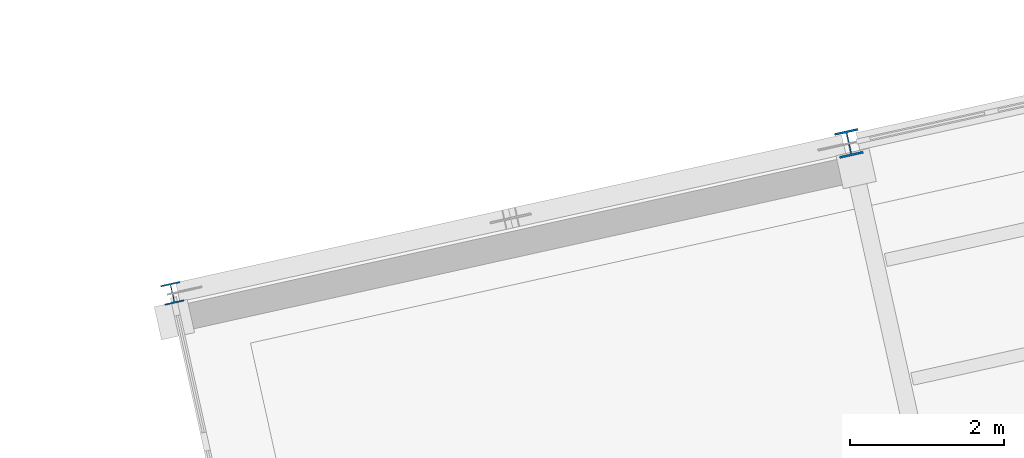
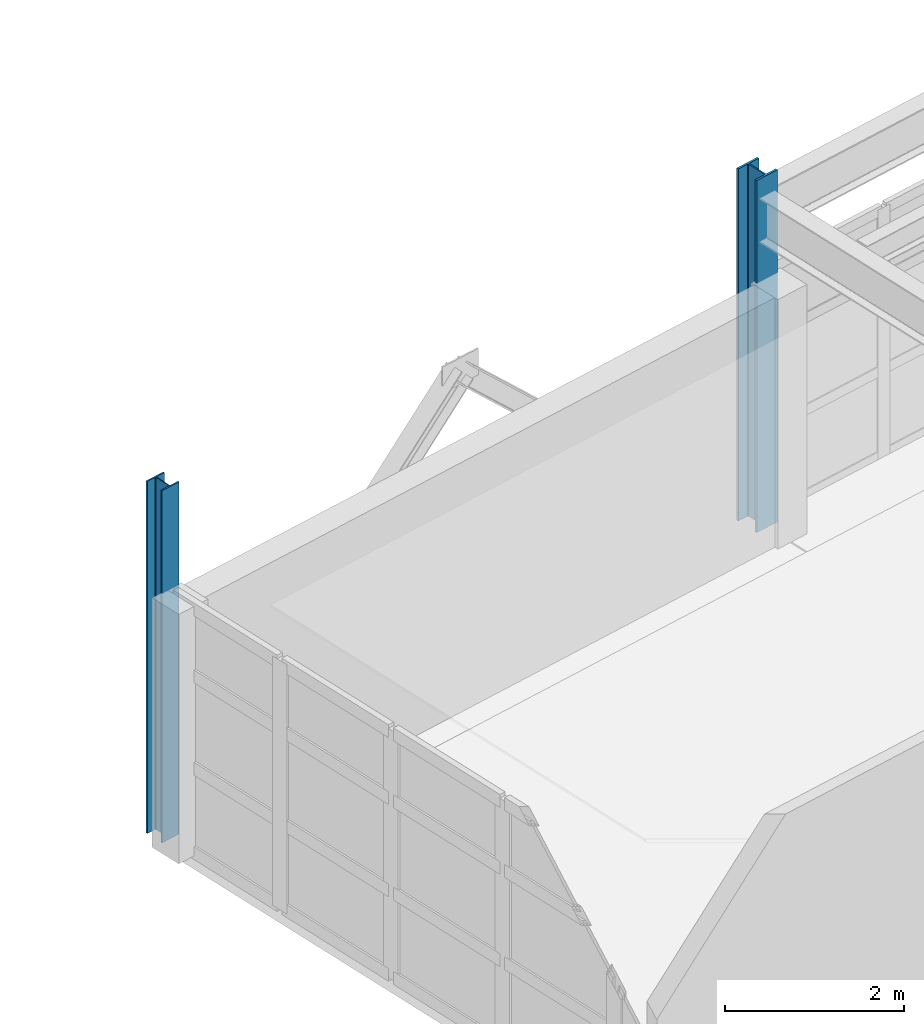
# One storey, part 14 of 102: 2 columns.
"""IFC4 building model written with IfcOpenShell, lengths in metres."""

from ifc_helpers import new_model, si_unit, direction, frame, origin, origin_2d, place, context, subcontext, project, spatial, i_section, extrude, material, material_profile, profile_set, type_object, element, save


model = new_model("IFC4")

# Units and contexts
model_context = context("Model", 3, precision=1e-05, world=origin(), true_north=direction((0.0, 1.0)))
body_context = subcontext(model_context, "Body", "Model", "MODEL_VIEW")
ifc_project = project(units=[si_unit("LENGTHUNIT", "METRE"), si_unit("AREAUNIT", "SQUARE_METRE"), si_unit("VOLUMEUNIT", "CUBIC_METRE"), si_unit("PLANEANGLEUNIT", "RADIAN"), si_unit("MASSUNIT", "GRAM", prefix="KILO")], contexts=[model_context])

# Site, building, storey
site_placement = place(None, origin())
site = spatial("IfcSite", under=ifc_project, at=site_placement, CompositionType="ELEMENT")
building_placement = place(site_placement, origin())
building = spatial("IfcBuilding", under=site, at=building_placement, Name="Vireo Bluff Cable Station", CompositionType="ELEMENT")
storey_placement = place(building_placement, frame((0.0, 0.0, 9.60009765625)))
storey = spatial("IfcBuildingStorey", under=building, at=storey_placement, Name="L02", CompositionType="ELEMENT", Elevation=9.60009765625)

# Columns
ifc_material = material(Name="Steel ASTM A992 Gr. 50", Category="steel")
ifc_material_profile_1 = material_profile(ifc_material, i_section(OverallWidth=0.31298828125, OverallDepth=0.3330078125, WebThickness=0.01806640625, FlangeThickness=0.028076171875, FilletRadius=0.012939453125, at=origin_2d()), Name="W12X120")
ifc_profile_set_1 = profile_set([ifc_material_profile_1], Name="Steel ASTM A992 Gr. 50")
column_type_1 = type_object("IfcColumnType", Name="ECOL-W12X120", PredefinedType="COLUMN", material=ifc_profile_set_1)
column_1_placement = place(storey_placement, frame((128.6181640625, 103.7724609375, 0.0), z_axis=(0.0, 0.0, 1.0), x_axis=(0.97629600712, 0.216439613938, 0.0)))
element("IfcColumn", 1, at=column_1_placement, inside=storey, type_object=column_type_1, Name="V2 L02 column 148", PredefinedType="COLUMN", context=body_context, shape_type="SweptSolid", body=[
    extrude(i_section(OverallWidth=0.31298828125, OverallDepth=0.3330078125, WebThickness=0.01806640625, FlangeThickness=0.028076171875, FilletRadius=0.012939453125, at=origin_2d()), origin(), (0.0, 0.0, 1.0), 4.7998046875),
])
ifc_material_profile_2 = material_profile(ifc_material, i_section(OverallWidth=0.257080078125, OverallDepth=0.263916015625, WebThickness=0.011962890625, FlangeThickness=0.01953125, FilletRadius=0.009033203125, at=origin_2d()), Name="W10X68")
ifc_profile_set_2 = profile_set([ifc_material_profile_2], Name="Steel ASTM A992 Gr. 50")
column_type_2 = type_object("IfcColumnType", Name="PIL-W10X68", PredefinedType="PILASTER", material=ifc_profile_set_2)
column_2_placement = place(storey_placement, frame((119.83154296875, 101.824462890625, 0.0), z_axis=(0.0, 0.0, 1.0), x_axis=(0.97629600712, 0.216439613938, 0.0)))
element("IfcColumn", 2, at=column_2_placement, inside=storey, type_object=column_type_2, Name="V2 L02 column 134", PredefinedType="PILASTER", context=body_context, shape_type="SweptSolid", body=[
    extrude(i_section(OverallWidth=0.257080078125, OverallDepth=0.263916015625, WebThickness=0.011962890625, FlangeThickness=0.01953125, FilletRadius=0.009033203125, at=origin_2d()), origin(), (0.0, 0.0, 1.0), 4.7998046875),
])

save(model, "model.ifc")
